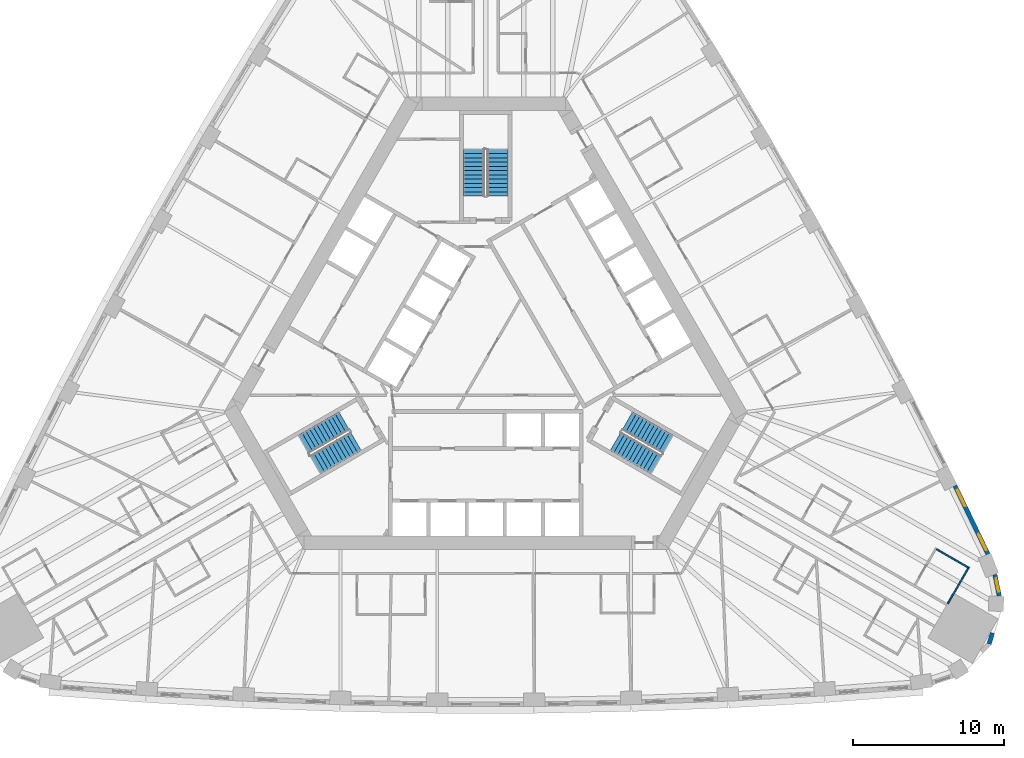
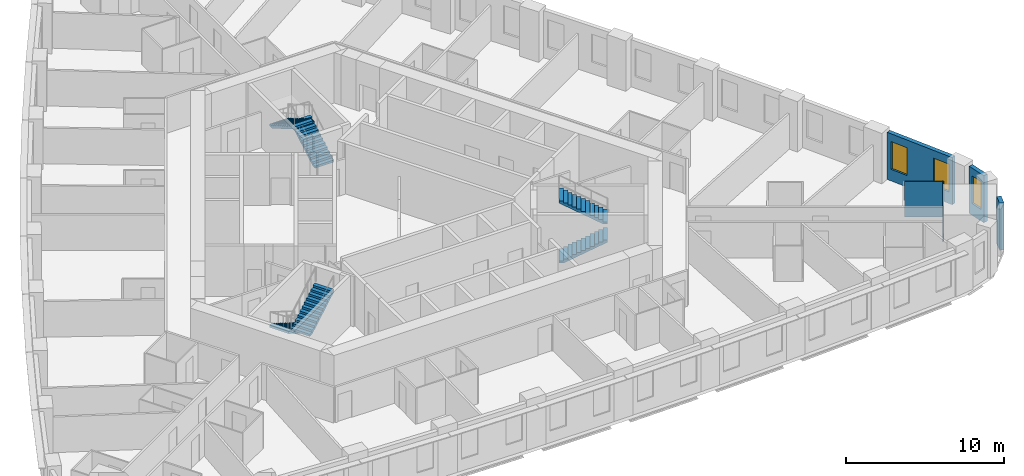
# One storey, part 12 of 13: 6 stair flights, 5 walls, 3 windows, 3 openings, 3 elements without a shape of their own.
"""IFC4 building model written with IfcOpenShell, lengths in metres."""

from ifc_helpers import new_model, si_unit, direction, frame, frame_2d, origin, place, context, subcontext, project, spatial, polyline, rectangle, outline, extrude, material, layer, layer_set, type_object, element, fill, aggregate, save


model = new_model("IFC4")

# Units and contexts
model_context = context("Model", 3, precision=1e-05, world=origin(), true_north=direction((0.0, 1.0)))
body_context = subcontext(model_context, "Body", "Model", "MODEL_VIEW")
ifc_project = project(units=[si_unit("LENGTHUNIT", "METRE"), si_unit("AREAUNIT", "SQUARE_METRE"), si_unit("VOLUMEUNIT", "CUBIC_METRE"), si_unit("PLANEANGLEUNIT", "RADIAN"), si_unit("MASSUNIT", "GRAM", prefix="KILO")], contexts=[model_context])

# Site, building, storey
site_placement = place(None, origin())
site = spatial("IfcSite", under=ifc_project, at=site_placement, CompositionType="ELEMENT")
building_placement = place(site_placement, origin())
building = spatial("IfcBuilding", under=site, at=building_placement, Name="Mestral Congress Tower", CompositionType="ELEMENT")
storey_placement = place(building_placement, frame((0.0, 0.0, 58.800048828125)))
storey = spatial("IfcBuildingStorey", under=building, at=storey_placement, Name="L13", CompositionType="ELEMENT", Elevation=58.800048828125)

# Wall
ifc_material_1 = material(Name="Precast concrete C40/50 with limestone facing", Category="masonry")
ifc_layer_1 = layer(ifc_material_1, 0.2900390625)
ifc_layer_set_1 = layer_set([ifc_layer_1], Name="Precast concrete C40/50 with limestone facing")
wall_type_1 = type_object("IfcWallType", Name="Facade stone wall 290", PredefinedType="SOLIDWALL", material=ifc_layer_set_1)
wall_1_placement = place(storey_placement, frame((33.256591796875, -19.24072265625, 0.0), z_axis=(0.0, 0.0, 1.0), x_axis=(0.278981320915, 0.960296528464, 0.0)))
element("IfcWall", 1, at=wall_1_placement, inside=storey, type_object=wall_type_1, Name="Facade wall K0-2", PredefinedType="SOLIDWALL", context=body_context, shape_type="SweptSolid", body=[
    extrude(rectangle(XDim=0.763916015625, YDim=0.2900390625, at=frame_2d((0.3818359375, 0.0))), origin(), (0.0, 0.0, 1.0), 3.64990234375),
])

# Wall, opening, window
wall_2_placement = place(storey_placement, frame((33.91748046875, -16.043701171875, 0.0), z_axis=(0.0, 0.0, 1.0), x_axis=(-0.198106888228, 0.980180422594, 0.0)))
wall_2 = element("IfcWall", 2, at=wall_2_placement, inside=storey, type_object=wall_type_1, Name="Facade wall K0-3", PredefinedType="SOLIDWALL", context=body_context, shape_type="SweptSolid", body=[
    extrude(rectangle(XDim=1.414794921875, YDim=0.2900390625, at=frame_2d((0.70751953125, 0.0))), origin(), (0.0, 0.0, 1.0), 3.64990234375),
])
opening_1_placement = place(wall_2_placement, frame((0.25732421875, 0.0, 0.89990234375)))
opening_1 = element("IfcOpeningElement", 3, at=opening_1_placement, cuts=wall_2, Name="Opening W3", PredefinedType="OPENING", context=body_context, shape_type="SweptSolid", body=[
    extrude(rectangle(XDim=0.89990234375, YDim=2.14990234375, at=frame_2d((0.449951171875, 1.074951171875))), frame((0.0, 0.155029296875, 0.0), z_axis=(0.0, -1.0, 0.0), x_axis=(1.0, 0.0, 0.0)), (0.0, 0.0, 1.0), 0.31005859375),
])
ifc_material_2 = material(Name="Clear low-emissivity double glazing", Category="glass")
window_type_1 = type_object("IfcWindowType", Name="Facade punched window 900 x 2150 sill 900", PartitioningType="SINGLE_PANEL", PredefinedType="WINDOW", material=ifc_material_2)
window_1_placement = place(opening_1_placement, origin())
window_1 = element("IfcWindow", 4, at=window_1_placement, inside=storey, type_object=window_type_1, Name="Window K0-3", OverallHeight=2.14990234375, OverallWidth=0.89990234375, PartitioningType="SINGLE_PANEL", PredefinedType="WINDOW", context=body_context, shape_type="SweptSolid", body=[
    extrude(rectangle(XDim=0.89990234375, YDim=2.14990234375, at=frame_2d((0.449951171875, 1.074951171875))), frame((0.0, 0.01513671875, 0.0), z_axis=(0.0, -1.0, 0.0), x_axis=(1.0, 0.0, 0.0)), (0.0, 0.0, 1.0), 0.06005859375),
])
fill(opening_1, window_1)

# Wall, openings, windows
wall_3_placement = place(storey_placement, frame((33.176025390625, -13.290283203125, 0.0), z_axis=(0.0, 0.0, 1.0), x_axis=(-0.434664499056, 0.900592456808, 0.0)))
wall_3 = element("IfcWall", 5, at=wall_3_placement, inside=storey, type_object=wall_type_1, Name="Facade wall F1-00", PredefinedType="SOLIDWALL", context=body_context, shape_type="SweptSolid", body=[
    extrude(rectangle(XDim=5.005615234375, YDim=0.2900390625, at=frame_2d((2.5029296875, 0.0))), origin(), (0.0, 0.0, 1.0), 3.64990234375),
])
opening_2_placement = place(wall_3_placement, frame((0.265380859375, 0.0, 0.89990234375)))
opening_2 = element("IfcOpeningElement", 6, at=opening_2_placement, cuts=wall_3, Name="Opening W1", PredefinedType="OPENING", context=body_context, shape_type="SweptSolid", body=[
    extrude(rectangle(XDim=1.199951171875, YDim=2.14990234375, at=frame_2d((0.60009765625, 1.074951171875))), frame((0.0, 0.155029296875, 0.0), z_axis=(0.0, -1.0, 0.0), x_axis=(1.0, 0.0, 0.0)), (0.0, 0.0, 1.0), 0.31005859375),
])
opening_3_placement = place(wall_3_placement, frame((3.49560546875, 0.0, 0.89990234375)))
opening_3 = element("IfcOpeningElement", 7, at=opening_3_placement, cuts=wall_3, Name="Opening W1", PredefinedType="OPENING", context=body_context, shape_type="SweptSolid", body=[
    extrude(rectangle(XDim=1.199951171875, YDim=2.14990234375, at=frame_2d((0.60009765625, 1.074951171875))), frame((0.0, 0.155029296875, 0.0), z_axis=(0.0, -1.0, 0.0), x_axis=(1.0, 0.0, 0.0)), (0.0, 0.0, 1.0), 0.31005859375),
])
window_type_2 = type_object("IfcWindowType", Name="Facade punched window 1200 x 2150 sill 900", PartitioningType="DOUBLE_PANEL_VERTICAL", PredefinedType="WINDOW", material=ifc_material_2)
window_2_placement = place(opening_2_placement, origin())
window_2 = element("IfcWindow", 8, at=window_2_placement, inside=storey, type_object=window_type_2, Name="Window F1-00a", OverallHeight=2.14990234375, OverallWidth=1.199951171875, PartitioningType="DOUBLE_PANEL_VERTICAL", PredefinedType="WINDOW", context=body_context, shape_type="SweptSolid", body=[
    extrude(rectangle(XDim=1.199951171875, YDim=2.14990234375, at=frame_2d((0.60009765625, 1.074951171875))), frame((0.0, 0.01513671875, 0.0), z_axis=(0.0, -1.0, 0.0), x_axis=(1.0, 0.0, 0.0)), (0.0, 0.0, 1.0), 0.06005859375),
])
fill(opening_2, window_2)
window_3_placement = place(opening_3_placement, origin())
window_3 = element("IfcWindow", 9, at=window_3_placement, inside=storey, type_object=window_type_2, Name="Window F1-00b", OverallHeight=2.14990234375, OverallWidth=1.199951171875, PartitioningType="DOUBLE_PANEL_VERTICAL", PredefinedType="WINDOW", context=body_context, shape_type="SweptSolid", body=[
    extrude(rectangle(XDim=1.199951171875, YDim=2.14990234375, at=frame_2d((0.60009765625, 1.074951171875))), frame((0.0, 0.01513671875, 0.0), z_axis=(0.0, -1.0, 0.0), x_axis=(1.0, 0.0, 0.0)), (0.0, 0.0, 1.0), 0.06005859375),
])
fill(opening_3, window_3)

# Walls
ifc_material_3 = material(Name="Gypsum board partition on metal studs with mineral wool", Category="composite")
ifc_layer_2 = layer(ifc_material_3, 0.10009765625)
ifc_layer_set_2 = layer_set([ifc_layer_2], Name="Gypsum board partition on metal studs with mineral wool")
wall_type_2 = type_object("IfcWallType", Name="Hotel partition wall 100", PredefinedType="PARTITIONING", material=ifc_layer_set_2)
wall_4_placement = place(storey_placement, frame((29.770751953125, -12.973388671875, 0.0), z_axis=(0.0, 0.0, 1.0), x_axis=(0.865980596518, -0.500077600433, 0.0)))
element("IfcWall", 10, at=wall_4_placement, inside=storey, type_object=wall_type_2, Name="L13-h-pod09b", PredefinedType="PARTITIONING", context=body_context, shape_type="SweptSolid", body=[
    extrude(rectangle(XDim=2.39990234375, YDim=0.10009765625, at=frame_2d((1.199951171875, 0.0))), origin(), (0.0, 0.0, 1.0), 2.75),
])
wall_5_placement = place(storey_placement, frame((30.517578125, -16.580078125, 0.0), z_axis=(0.0, 0.0, 1.0), x_axis=(0.49998411664, 0.866034573852, 0.0)))
element("IfcWall", 11, at=wall_5_placement, inside=storey, type_object=wall_type_2, Name="L13-h-pod09c", PredefinedType="PARTITIONING", context=body_context, shape_type="SweptSolid", body=[
    extrude(rectangle(XDim=2.7998046875, YDim=0.10009765625, at=frame_2d((1.39990234375, 0.0))), origin(), (0.0, 0.0, 1.0), 2.75),
])

# Stair, stair flights
ifc_material_4 = material(Name="Concrete C60/75", Category="concrete")
stair_type = type_object("IfcStairType", Name="Exit stair 1400", PredefinedType="HALF_TURN_STAIR", material=ifc_material_4)
placement = place(storey_placement, origin())
stair_1 = element("IfcStair", 12, at=placement, inside=storey, type_object=stair_type, Name="L13 ST1", PredefinedType="HALF_TURN_STAIR")
stair_flight_type = type_object("IfcStairFlightType", Name="Exit stair flight 1400", PredefinedType="STRAIGHT", material=ifc_material_4)
stair_flight_1_placement = place(storey_placement, frame((8.575927734375, -5.84619140625, 0.0), z_axis=(0.0, 0.0, 1.0), x_axis=(0.866025403784, -0.5, 0.0)))
stair_flight_1 = element("IfcStairFlight", 13, at=stair_flight_1_placement, type_object=stair_flight_type, Name="ST1 flight 1", NumberOfRisers=12, NumberOfTreads=11, PredefinedType="STRAIGHT", RiserHeight=0.1625, TreadLength=0.28, context=body_context, shape_type="SweptSolid", body=[
    extrude(outline(polyline([(0.0, 0.0), (0.0, 0.16259765625), (0.280029296875, 0.16259765625), (0.280029296875, 0.324951171875), (0.56005859375, 0.324951171875), (0.56005859375, 0.487548828125), (0.840087890625, 0.487548828125), (0.840087890625, 0.64990234375), (1.1201171875, 0.64990234375), (1.1201171875, 0.8125), (1.39990234375, 0.8125), (1.39990234375, 0.97509765625), (1.679931640625, 0.97509765625), (1.679931640625, 1.137451171875), (1.9599609375, 1.137451171875), (1.9599609375, 1.300048828125), (2.239990234375, 1.300048828125), (2.239990234375, 1.46240234375), (2.52001953125, 1.46240234375), (2.52001953125, 1.625), (2.800048828125, 1.625), (2.800048828125, 1.78759765625), (3.080078125, 1.78759765625), (3.080078125, 1.949951171875), (3.080078125, 1.6142578125), (0.298583984375, 0.0), (0.0, 0.0)])), frame((0.0, 0.699951171875, 0.0), z_axis=(0.0, -1.0, 0.0), x_axis=(1.0, 0.0, 0.0)), (0.0, 0.0, 1.0), 1.39990234375),
])
stair_flight_2_placement = place(storey_placement, frame((12.018310546875, -6.0439453125, 1.949951171875), z_axis=(0.0, 0.0, 1.0), x_axis=(-0.866025403784, 0.5, 0.0)))
stair_flight_2 = element("IfcStairFlight", 14, at=stair_flight_2_placement, type_object=stair_flight_type, Name="ST1 flight 2", NumberOfRisers=12, NumberOfTreads=11, PredefinedType="STRAIGHT", RiserHeight=0.1625, TreadLength=0.28, context=body_context, shape_type="SweptSolid", body=[
    extrude(outline(polyline([(0.0, 0.0), (0.0, 0.16259765625), (0.280029296875, 0.16259765625), (0.280029296875, 0.324951171875), (0.56005859375, 0.324951171875), (0.56005859375, 0.487548828125), (0.840087890625, 0.487548828125), (0.840087890625, 0.64990234375), (1.1201171875, 0.64990234375), (1.1201171875, 0.8125), (1.39990234375, 0.8125), (1.39990234375, 0.97509765625), (1.679931640625, 0.97509765625), (1.679931640625, 1.137451171875), (1.9599609375, 1.137451171875), (1.9599609375, 1.300048828125), (2.239990234375, 1.300048828125), (2.239990234375, 1.46240234375), (2.52001953125, 1.46240234375), (2.52001953125, 1.625), (2.800048828125, 1.625), (2.800048828125, 1.78759765625), (3.080078125, 1.78759765625), (3.080078125, 1.949951171875), (3.080078125, 1.6142578125), (0.298583984375, 0.0), (0.0, 0.0)])), frame((0.0, 0.699951171875, 0.0), z_axis=(0.0, -1.0, 0.0), x_axis=(1.0, 0.0, 0.0)), (0.0, 0.0, 1.0), 1.39990234375),
])
aggregate(stair_1, [stair_flight_1, stair_flight_2])

stair_2 = element("IfcStair", 15, at=placement, inside=storey, type_object=stair_type, Name="L13 ST2", PredefinedType="HALF_TURN_STAIR")
stair_flight_3_placement = place(storey_placement, frame((0.77490234375, 10.35009765625, 0.0), z_axis=(0.0, 0.0, 1.0), x_axis=(0.0, 1.0, 0.0)))
stair_flight_3 = element("IfcStairFlight", 16, at=stair_flight_3_placement, type_object=stair_flight_type, Name="ST2 flight 1", NumberOfRisers=12, NumberOfTreads=11, PredefinedType="STRAIGHT", RiserHeight=0.1625, TreadLength=0.28, context=body_context, shape_type="SweptSolid", body=[
    extrude(outline(polyline([(0.0, 0.0), (0.0, 0.16259765625), (0.280029296875, 0.16259765625), (0.280029296875, 0.324951171875), (0.56005859375, 0.324951171875), (0.56005859375, 0.487548828125), (0.840087890625, 0.487548828125), (0.840087890625, 0.64990234375), (1.1201171875, 0.64990234375), (1.1201171875, 0.8125), (1.39990234375, 0.8125), (1.39990234375, 0.97509765625), (1.679931640625, 0.97509765625), (1.679931640625, 1.137451171875), (1.9599609375, 1.137451171875), (1.9599609375, 1.300048828125), (2.239990234375, 1.300048828125), (2.239990234375, 1.46240234375), (2.52001953125, 1.46240234375), (2.52001953125, 1.625), (2.800048828125, 1.625), (2.800048828125, 1.78759765625), (3.080078125, 1.78759765625), (3.080078125, 1.949951171875), (3.080078125, 1.6142578125), (0.298583984375, 0.0), (0.0, 0.0)])), frame((0.0, 0.699951171875, 0.0), z_axis=(0.0, -1.0, 0.0), x_axis=(1.0, 0.0, 0.0)), (0.0, 0.0, 1.0), 1.39990234375),
])
stair_flight_4_placement = place(storey_placement, frame((-0.77490234375, 13.429931640625, 1.949951171875), z_axis=(0.0, 0.0, 1.0), x_axis=(0.0, -1.0, 0.0)))
stair_flight_4 = element("IfcStairFlight", 17, at=stair_flight_4_placement, type_object=stair_flight_type, Name="ST2 flight 2", NumberOfRisers=12, NumberOfTreads=11, PredefinedType="STRAIGHT", RiserHeight=0.1625, TreadLength=0.28, context=body_context, shape_type="SweptSolid", body=[
    extrude(outline(polyline([(0.0, 0.0), (0.0, 0.16259765625), (0.280029296875, 0.16259765625), (0.280029296875, 0.324951171875), (0.56005859375, 0.324951171875), (0.56005859375, 0.487548828125), (0.840087890625, 0.487548828125), (0.840087890625, 0.64990234375), (1.1201171875, 0.64990234375), (1.1201171875, 0.8125), (1.39990234375, 0.8125), (1.39990234375, 0.97509765625), (1.679931640625, 0.97509765625), (1.679931640625, 1.137451171875), (1.9599609375, 1.137451171875), (1.9599609375, 1.300048828125), (2.239990234375, 1.300048828125), (2.239990234375, 1.46240234375), (2.52001953125, 1.46240234375), (2.52001953125, 1.625), (2.800048828125, 1.625), (2.800048828125, 1.78759765625), (3.080078125, 1.78759765625), (3.080078125, 1.949951171875), (3.080078125, 1.6142578125), (0.298583984375, 0.0), (0.0, 0.0)])), frame((0.0, 0.699951171875, 0.0), z_axis=(0.0, -1.0, 0.0), x_axis=(1.0, 0.0, 0.0)), (0.0, 0.0, 1.0), 1.39990234375),
])
aggregate(stair_2, [stair_flight_3, stair_flight_4])

stair_3 = element("IfcStair", 18, at=placement, inside=storey, type_object=stair_type, Name="L13 ST3", PredefinedType="HALF_TURN_STAIR")
stair_flight_5_placement = place(storey_placement, frame((-9.350830078125, -4.50390625, 0.0), z_axis=(0.0, 0.0, 1.0), x_axis=(-0.866025403784, -0.5, 0.0)))
stair_flight_5 = element("IfcStairFlight", 19, at=stair_flight_5_placement, type_object=stair_flight_type, Name="ST3 flight 1", NumberOfRisers=12, NumberOfTreads=11, PredefinedType="STRAIGHT", RiserHeight=0.1625, TreadLength=0.28, context=body_context, shape_type="SweptSolid", body=[
    extrude(outline(polyline([(0.0, 0.0), (0.0, 0.16259765625), (0.280029296875, 0.16259765625), (0.280029296875, 0.324951171875), (0.56005859375, 0.324951171875), (0.56005859375, 0.487548828125), (0.840087890625, 0.487548828125), (0.840087890625, 0.64990234375), (1.1201171875, 0.64990234375), (1.1201171875, 0.8125), (1.39990234375, 0.8125), (1.39990234375, 0.97509765625), (1.679931640625, 0.97509765625), (1.679931640625, 1.137451171875), (1.9599609375, 1.137451171875), (1.9599609375, 1.300048828125), (2.239990234375, 1.300048828125), (2.239990234375, 1.46240234375), (2.52001953125, 1.46240234375), (2.52001953125, 1.625), (2.800048828125, 1.625), (2.800048828125, 1.78759765625), (3.080078125, 1.78759765625), (3.080078125, 1.949951171875), (3.080078125, 1.6142578125), (0.298583984375, 0.0), (0.0, 0.0)])), frame((0.0, 0.699951171875, 0.0), z_axis=(0.0, -1.0, 0.0), x_axis=(1.0, 0.0, 0.0)), (0.0, 0.0, 1.0), 1.39990234375),
])
stair_flight_6_placement = place(storey_placement, frame((-11.2431640625, -7.38623046875, 1.949951171875), z_axis=(0.0, 0.0, 1.0), x_axis=(0.866025403784, 0.5, 0.0)))
stair_flight_6 = element("IfcStairFlight", 20, at=stair_flight_6_placement, type_object=stair_flight_type, Name="ST3 flight 2", NumberOfRisers=12, NumberOfTreads=11, PredefinedType="STRAIGHT", RiserHeight=0.1625, TreadLength=0.28, context=body_context, shape_type="SweptSolid", body=[
    extrude(outline(polyline([(0.0, 0.0), (0.0, 0.16259765625), (0.280029296875, 0.16259765625), (0.280029296875, 0.324951171875), (0.56005859375, 0.324951171875), (0.56005859375, 0.487548828125), (0.840087890625, 0.487548828125), (0.840087890625, 0.64990234375), (1.1201171875, 0.64990234375), (1.1201171875, 0.8125), (1.39990234375, 0.8125), (1.39990234375, 0.97509765625), (1.679931640625, 0.97509765625), (1.679931640625, 1.137451171875), (1.9599609375, 1.137451171875), (1.9599609375, 1.300048828125), (2.239990234375, 1.300048828125), (2.239990234375, 1.46240234375), (2.52001953125, 1.46240234375), (2.52001953125, 1.625), (2.800048828125, 1.625), (2.800048828125, 1.78759765625), (3.080078125, 1.78759765625), (3.080078125, 1.949951171875), (3.080078125, 1.6142578125), (0.298583984375, 0.0), (0.0, 0.0)])), frame((0.0, 0.699951171875, 0.0), z_axis=(0.0, -1.0, 0.0), x_axis=(1.0, 0.0, 0.0)), (0.0, 0.0, 1.0), 1.39990234375),
])
aggregate(stair_3, [stair_flight_5, stair_flight_6])

save(model, "model.ifc")
